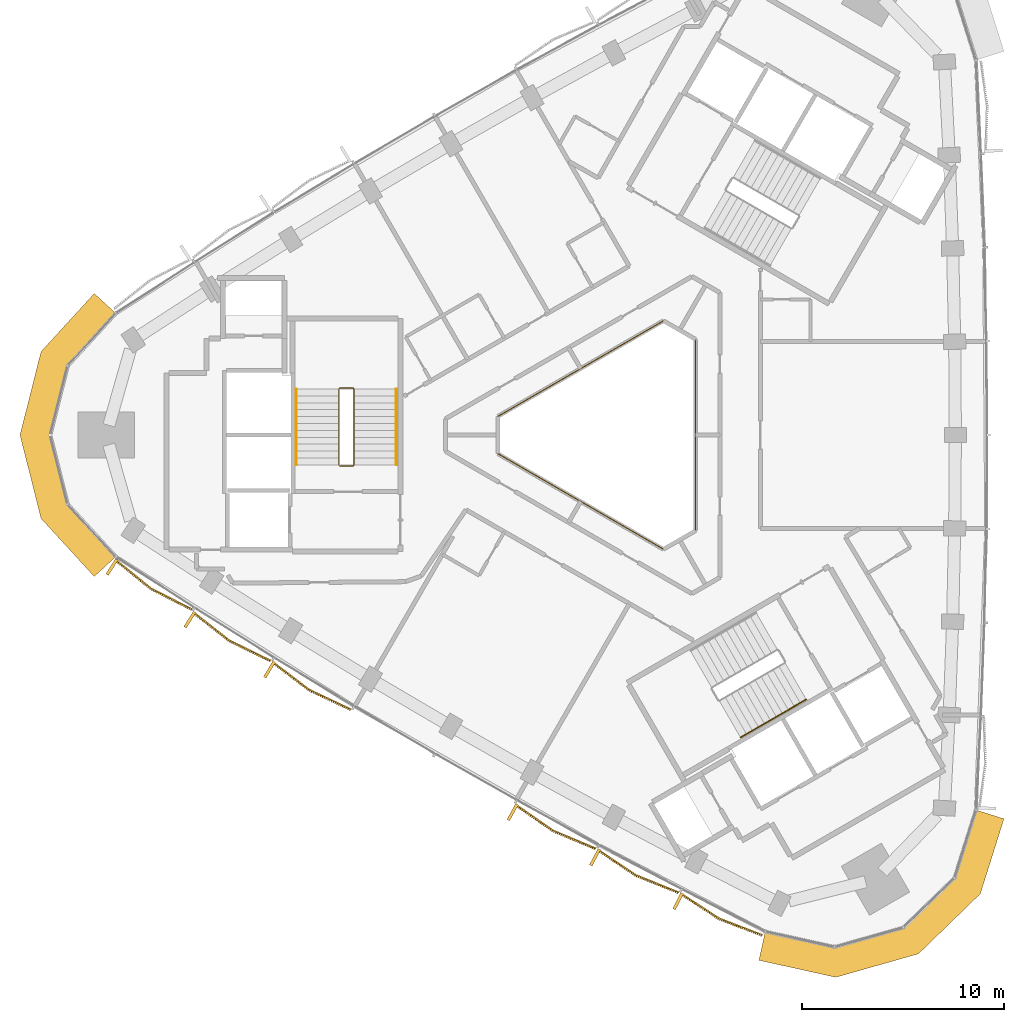
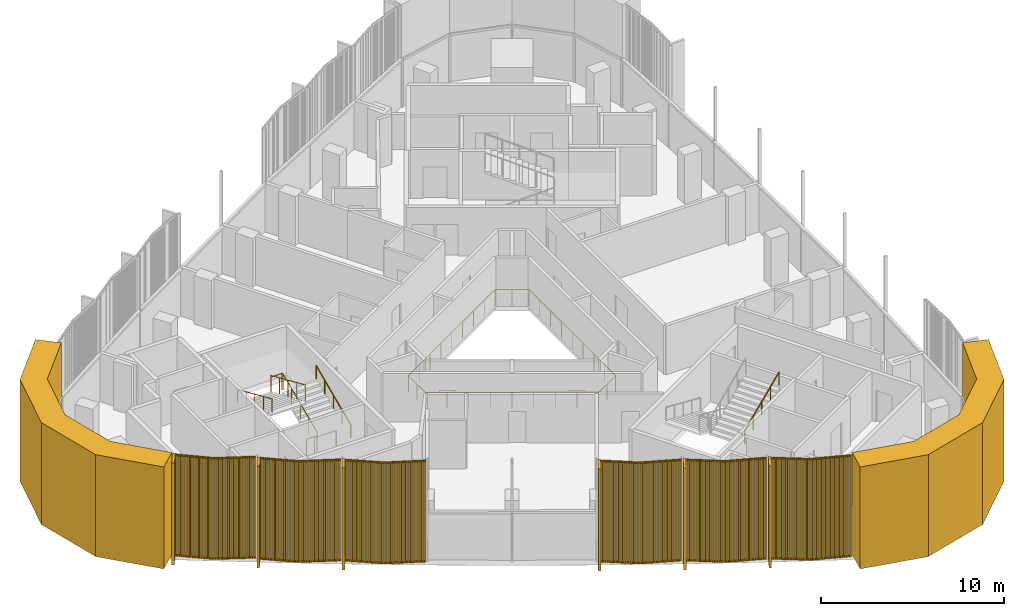
# One storey, part 12 of 14: 8 coverings, 5 railings.
"""IFC4 building model written with IfcOpenShell, lengths in metres."""

from ifc_helpers import new_model, si_unit, direction, frame, frame_2d, origin, origin_2d, place, context, subcontext, project, spatial, polyline, rectangle, circle, outline, extrude, source, transform, mapped, material, layer, layer_set, type_object, element, save


model = new_model("IFC4")

# Units and contexts
model_context = context("Model", 3, precision=1e-05, world=origin(), true_north=direction((0.0, 1.0)))
body_context = subcontext(model_context, "Body", "Model", "MODEL_VIEW")
ifc_project = project(units=[si_unit("LENGTHUNIT", "METRE"), si_unit("AREAUNIT", "SQUARE_METRE"), si_unit("VOLUMEUNIT", "CUBIC_METRE"), si_unit("PLANEANGLEUNIT", "RADIAN"), si_unit("MASSUNIT", "GRAM", prefix="KILO")], contexts=[model_context])

# Site, building, storey
site_placement = place(None, origin())
site = spatial("IfcSite", under=ifc_project, at=site_placement, CompositionType="ELEMENT")
building_placement = place(site_placement, origin())
building = spatial("IfcBuilding", under=site, at=building_placement, Name="Tamra Quay Hotel Tower", CompositionType="ELEMENT")
storey_placement = place(building_placement, frame((0.0, 0.0, 250.199951171875)))
storey = spatial("IfcBuildingStorey", under=building, at=storey_placement, Name="L63", CompositionType="ELEMENT", Elevation=250.199951171875)

# Coverings
ifc_material_1 = material(Name="Precast concrete M60 terracotta-coloured", Category="masonry")
ifc_layer = layer(ifc_material_1, 1.449951171875)
ifc_layer_set = layer_set([ifc_layer], Name="CORNER PIER PANEL")
covering_type_1 = type_object("IfcCoveringType", Name="CORNER PIER PANEL", PredefinedType="CLADDING", material=ifc_layer_set)
covering_1_placement = place(storey_placement, origin())
element("IfcCovering", 1, at=covering_1_placement, inside=storey, type_object=covering_type_1, Name="Corner pier L63.north-west", PredefinedType="CLADDING", context=body_context, shape_type="SweptSolid", body=[
    extrude(outline(polyline([(-24.941650390625, 6.034423828125), (-26.010986328125, 7.013916015625), (-28.645751953125, 4.13720703125), (-29.689697265625, 0.0), (-28.645751953125, -4.13720703125), (-26.010986328125, -7.013916015625), (-24.941650390625, -6.034423828125), (-27.329345703125, -3.427490234375), (-28.1943359375, 0.0), (-27.329345703125, 3.427490234375), (-24.941650390625, 6.034423828125)])), origin(), (0.0, 0.0, 1.0), 6.800048828125),
])
covering_2_placement = place(storey_placement, origin())
element("IfcCovering", 2, at=covering_2_placement, inside=storey, type_object=covering_type_1, Name="Corner pier L63.south-west", PredefinedType="CLADDING", context=body_context, shape_type="SweptSolid", body=[
    extrude(outline(polyline([(7.244873046875, -24.617431640625), (6.931396484375, -26.033203125), (10.739990234375, -26.876708984375), (14.844970703125, -25.712158203125), (17.90576171875, -22.739501953125), (19.07958984375, -19.019287109375), (17.69677734375, -18.5830078125), (16.633056640625, -21.9541015625), (14.09716796875, -24.4169921875), (10.6962890625, -25.3818359375), (7.244873046875, -24.617431640625)])), origin(), (0.0, 0.0, 1.0), 6.800048828125),
])

# Railings
ifc_material_2 = material(Name="Guard atrium edge 1100")
railing_type_1 = type_object("IfcRailingType", Name="Guard atrium edge 1100", PredefinedType="GUARDRAIL", material=ifc_material_2)
railing_1_placement = place(storey_placement, frame((3.800048828125, -4.73388671875, 0.0)))
element("IfcRailing", 3, at=railing_1_placement, inside=storey, type_object=railing_type_1, Name="G-A", PredefinedType="GUARDRAIL", context=body_context, shape_type="SweptSolid", body=[
    extrude(circle(Radius=0.02392578125, at=origin_2d()), frame((0.0, 0.0, 1.076171875), z_axis=(-0.865965533559, -0.500103683937, 0.0), x_axis=(0.500103683937, -0.865965533559, 0.0)), (0.0, 0.0, 1.0), 1.84765625),
    extrude(circle(Radius=0.02392578125, at=origin_2d()), frame((-1.60009765625, -0.924072265625, 1.076171875), z_axis=(-0.86604174356, 0.49997169761, 0.0), x_axis=(-0.49997169761, -0.86604174356, 0.0)), (0.0, 0.0, 1.0), 9.46826171875),
    extrude(circle(Radius=0.02392578125, at=origin_2d()), frame((-9.800048828125, 3.809814453125, 1.076171875), z_axis=(0.0, 1.0, 0.0), x_axis=(-1.0, 0.0, 0.0)), (0.0, 0.0, 1.0), 1.84814453125),
    extrude(circle(Radius=0.02392578125, at=origin_2d()), frame((-9.800048828125, 5.657958984375, 1.076171875), z_axis=(0.86604174356, 0.49997169761, 0.0), x_axis=(-0.49997169761, 0.86604174356, 0.0)), (0.0, 0.0, 1.0), 9.46826171875),
    extrude(circle(Radius=0.02392578125, at=origin_2d()), frame((-1.60009765625, 10.391845703125, 1.076171875), z_axis=(0.865965533559, -0.500103683937, 0.0), x_axis=(0.500103683937, 0.865965533559, 0.0)), (0.0, 0.0, 1.0), 1.84765625),
    extrude(circle(Radius=0.02392578125, at=origin_2d()), frame((0.0, 9.4677734375, 1.076171875), z_axis=(0.0, -1.0, 0.0), x_axis=(1.0, 0.0, 0.0)), (0.0, 0.0, 1.0), 9.4677734375),
    extrude(circle(Radius=0.02099609375, at=origin_2d()), origin(), (0.0, 0.0, 1.0), 1.052001953125),
    extrude(circle(Radius=0.02099609375, at=origin_2d()), frame((-0.800048828125, -0.4619140625, 0.0)), (0.0, 0.0, 1.0), 1.052001953125),
    extrude(circle(Radius=0.02099609375, at=origin_2d()), frame((-1.60009765625, -0.924072265625, 0.0)), (0.0, 0.0, 1.0), 1.052001953125),
    extrude(circle(Radius=0.02099609375, at=origin_2d()), frame((-2.625, -0.332275390625, 0.0)), (0.0, 0.0, 1.0), 1.052001953125),
    extrude(circle(Radius=0.02099609375, at=origin_2d()), frame((-3.650146484375, 0.25927734375, 0.0)), (0.0, 0.0, 1.0), 1.052001953125),
    extrude(circle(Radius=0.02099609375, at=origin_2d()), frame((-4.675048828125, 0.85107421875, 0.0)), (0.0, 0.0, 1.0), 1.052001953125),
    extrude(circle(Radius=0.02099609375, at=origin_2d()), frame((-5.7001953125, 1.44287109375, 0.0)), (0.0, 0.0, 1.0), 1.052001953125),
    extrude(circle(Radius=0.02099609375, at=origin_2d()), frame((-6.72509765625, 2.03466796875, 0.0)), (0.0, 0.0, 1.0), 1.052001953125),
    extrude(circle(Radius=0.02099609375, at=origin_2d()), frame((-7.75, 2.62646484375, 0.0)), (0.0, 0.0, 1.0), 1.052001953125),
    extrude(circle(Radius=0.02099609375, at=origin_2d()), frame((-8.775146484375, 3.218017578125, 0.0)), (0.0, 0.0, 1.0), 1.052001953125),
    extrude(circle(Radius=0.02099609375, at=origin_2d()), frame((-9.800048828125, 3.809814453125, 0.0)), (0.0, 0.0, 1.0), 1.052001953125),
    extrude(circle(Radius=0.02099609375, at=origin_2d()), frame((-9.800048828125, 4.73388671875, 0.0)), (0.0, 0.0, 1.0), 1.052001953125),
    extrude(circle(Radius=0.02099609375, at=origin_2d()), frame((-9.800048828125, 5.657958984375, 0.0)), (0.0, 0.0, 1.0), 1.052001953125),
    extrude(circle(Radius=0.02099609375, at=origin_2d()), frame((-8.775146484375, 6.249755859375, 0.0)), (0.0, 0.0, 1.0), 1.052001953125),
    extrude(circle(Radius=0.02099609375, at=origin_2d()), frame((-7.75, 6.84130859375, 0.0)), (0.0, 0.0, 1.0), 1.052001953125),
    extrude(circle(Radius=0.02099609375, at=origin_2d()), frame((-6.72509765625, 7.43310546875, 0.0)), (0.0, 0.0, 1.0), 1.052001953125),
    extrude(circle(Radius=0.02099609375, at=origin_2d()), frame((-5.7001953125, 8.02490234375, 0.0)), (0.0, 0.0, 1.0), 1.052001953125),
    extrude(circle(Radius=0.02099609375, at=origin_2d()), frame((-4.675048828125, 8.61669921875, 0.0)), (0.0, 0.0, 1.0), 1.052001953125),
    extrude(circle(Radius=0.02099609375, at=origin_2d()), frame((-3.650146484375, 9.20849609375, 0.0)), (0.0, 0.0, 1.0), 1.052001953125),
    extrude(circle(Radius=0.02099609375, at=origin_2d()), frame((-2.625, 9.800048828125, 0.0)), (0.0, 0.0, 1.0), 1.052001953125),
    extrude(circle(Radius=0.02099609375, at=origin_2d()), frame((-1.60009765625, 10.391845703125, 0.0)), (0.0, 0.0, 1.0), 1.052001953125),
    extrude(circle(Radius=0.02099609375, at=origin_2d()), frame((-0.800048828125, 9.9296875, 0.0)), (0.0, 0.0, 1.0), 1.052001953125),
    extrude(circle(Radius=0.02099609375, at=origin_2d()), frame((0.0, 9.4677734375, 0.0)), (0.0, 0.0, 1.0), 1.052001953125),
    extrude(circle(Radius=0.02099609375, at=origin_2d()), frame((0.0, 8.2841796875, 0.0)), (0.0, 0.0, 1.0), 1.052001953125),
    extrude(circle(Radius=0.02099609375, at=origin_2d()), frame((0.0, 7.100830078125, 0.0)), (0.0, 0.0, 1.0), 1.052001953125),
    extrude(circle(Radius=0.02099609375, at=origin_2d()), frame((0.0, 5.91748046875, 0.0)), (0.0, 0.0, 1.0), 1.052001953125),
    extrude(circle(Radius=0.02099609375, at=origin_2d()), frame((0.0, 4.73388671875, 0.0)), (0.0, 0.0, 1.0), 1.052001953125),
    extrude(circle(Radius=0.02099609375, at=origin_2d()), frame((0.0, 3.55029296875, 0.0)), (0.0, 0.0, 1.0), 1.052001953125),
    extrude(circle(Radius=0.02099609375, at=origin_2d()), frame((0.0, 2.366943359375, 0.0)), (0.0, 0.0, 1.0), 1.052001953125),
    extrude(circle(Radius=0.02099609375, at=origin_2d()), frame((0.0, 1.18359375, 0.0)), (0.0, 0.0, 1.0), 1.052001953125),
])
ifc_material_3 = material(Name="Stair guard 1100")
railing_type_2 = type_object("IfcRailingType", Name="Stair guard 1100", PredefinedType="GUARDRAIL", material=ifc_material_3)
railing_2_placement = place(storey_placement, frame((-13.84130859375, -1.530029296875, 0.0)))
element("IfcRailing", 4, at=railing_2_placement, inside=storey, type_object=railing_type_2, Name="GR", PredefinedType="GUARDRAIL", context=body_context, shape_type="SweptSolid", body=[
    extrude(circle(Radius=0.02392578125, at=origin_2d()), frame((0.0, 0.0, 1.076171875), z_axis=(1.0, 0.0, 0.0), x_axis=(0.0, 1.0, 0.0)), (0.0, 0.0, 1.0), 0.658935546875),
    extrude(circle(Radius=0.02392578125, at=origin_2d()), frame((0.658935546875, 0.0, 1.076171875), z_axis=(0.301511344578, 0.301511344578, 0.904534033733), x_axis=(-0.707106781187, 0.707106781187, 0.0)), (0.0, 0.0, 1.0), 0.166015625),
    extrude(circle(Radius=0.02392578125, at=origin_2d()), frame((0.708984375, 0.050048828125, 1.22607421875), z_axis=(0.0, 0.915795495799, 0.401644880304), x_axis=(-1.0, 0.0, 0.0)), (0.0, 0.0, 1.0), 4.10791015625),
    extrude(circle(Radius=0.02392578125, at=origin_2d()), frame((0.708984375, 3.81201171875, 2.8759765625), z_axis=(-0.708833529934, 0.705375805398, 0.0), x_axis=(-0.705375805398, -0.708833529934, 0.0)), (0.0, 0.0, 1.0), 0.070556640625),
    extrude(circle(Radius=0.02392578125, at=origin_2d()), frame((0.658935546875, 3.86181640625, 2.8759765625), z_axis=(-1.0, 0.0, 0.0), x_axis=(0.0, -1.0, 0.0)), (0.0, 0.0, 1.0), 0.658935546875),
    extrude(circle(Radius=0.02392578125, at=origin_2d()), frame((0.0, 3.86181640625, 2.8759765625), z_axis=(-0.302046947789, -0.300573548044, 0.904667443621), x_axis=(0.705375805398, -0.708833529934, 0.0)), (0.0, 0.0, 1.0), 0.165771484375),
    extrude(circle(Radius=0.02392578125, at=origin_2d()), frame((-0.050048828125, 3.81201171875, 3.02587890625), z_axis=(0.0, -0.915773634228, 0.401694723457), x_axis=(1.0, 0.0, 0.0)), (0.0, 0.0, 1.0), 4.10791015625),
    extrude(circle(Radius=0.02099609375, at=origin_2d()), origin(), (0.0, 0.0, 1.0), 1.052001953125),
    extrude(circle(Radius=0.02099609375, at=origin_2d()), frame((0.658935546875, 0.0, 0.0)), (0.0, 0.0, 1.0), 1.052001953125),
    extrude(circle(Radius=0.02099609375, at=origin_2d()), frame((0.708984375, 0.050048828125, 0.150146484375)), (0.0, 0.0, 1.0), 1.052001953125),
    extrude(circle(Radius=0.02099609375, at=origin_2d()), frame((0.708984375, 0.990478515625, 0.5625)), (0.0, 0.0, 1.0), 1.052001953125),
    extrude(circle(Radius=0.02099609375, at=origin_2d()), frame((0.708984375, 1.93115234375, 0.97509765625)), (0.0, 0.0, 1.0), 1.052001953125),
    extrude(circle(Radius=0.02099609375, at=origin_2d()), frame((0.708984375, 2.87158203125, 1.3876953125)), (0.0, 0.0, 1.0), 1.052001953125),
    extrude(circle(Radius=0.02099609375, at=origin_2d()), frame((0.708984375, 3.81201171875, 1.800048828125)), (0.0, 0.0, 1.0), 1.052001953125),
    extrude(circle(Radius=0.02099609375, at=origin_2d()), frame((0.658935546875, 3.86181640625, 1.800048828125)), (0.0, 0.0, 1.0), 1.052001953125),
    extrude(circle(Radius=0.02099609375, at=origin_2d()), frame((0.0, 3.86181640625, 1.800048828125)), (0.0, 0.0, 1.0), 1.052001953125),
    extrude(circle(Radius=0.02099609375, at=origin_2d()), frame((-0.050048828125, 3.81201171875, 1.949951171875)), (0.0, 0.0, 1.0), 1.052001953125),
    extrude(circle(Radius=0.02099609375, at=origin_2d()), frame((-0.050048828125, 2.87158203125, 2.362548828125)), (0.0, 0.0, 1.0), 1.052001953125),
    extrude(circle(Radius=0.02099609375, at=origin_2d()), frame((-0.050048828125, 1.93115234375, 2.77490234375)), (0.0, 0.0, 1.0), 1.052001953125),
    extrude(circle(Radius=0.02099609375, at=origin_2d()), frame((-0.050048828125, 0.990478515625, 3.1875)), (0.0, 0.0, 1.0), 1.052001953125),
    extrude(circle(Radius=0.02099609375, at=origin_2d()), frame((-0.050048828125, 0.050048828125, 3.60009765625)), (0.0, 0.0, 1.0), 1.052001953125),
])
ifc_material_4 = material(Name="Stair handrail 900")
railing_type_3 = type_object("IfcRailingType", Name="Stair handrail 900", PredefinedType="HANDRAIL", material=ifc_material_4)
railing_3_placement = place(storey_placement, frame((-11.0322265625, -1.47998046875, 0.150146484375)))
element("IfcRailing", 5, at=railing_3_placement, inside=storey, type_object=railing_type_3, Name="HR", PredefinedType="HANDRAIL", context=body_context, shape_type="SweptSolid", body=[
    extrude(circle(Radius=0.02392578125, at=origin_2d()), frame((0.0, 0.0, 0.8759765625), z_axis=(0.0, 0.915795495799, 0.401644880304), x_axis=(-1.0, 0.0, 0.0)), (0.0, 0.0, 1.0), 4.10791015625),
    extrude(circle(Radius=0.02099609375, at=origin_2d()), origin(), (0.0, 0.0, 1.0), 0.851806640625),
    extrude(circle(Radius=0.02099609375, at=origin_2d()), frame((0.0, 0.9404296875, 0.41259765625)), (0.0, 0.0, 1.0), 0.851806640625),
    extrude(circle(Radius=0.02099609375, at=origin_2d()), frame((0.0, 1.880859375, 0.824951171875)), (0.0, 0.0, 1.0), 0.851806640625),
    extrude(circle(Radius=0.02099609375, at=origin_2d()), frame((0.0, 2.821533203125, 1.2373046875)), (0.0, 0.0, 1.0), 0.851806640625),
    extrude(circle(Radius=0.02099609375, at=origin_2d()), frame((0.0, 3.761962890625, 1.64990234375)), (0.0, 0.0, 1.0), 0.851806640625),
])
railing_4_placement = place(storey_placement, frame((-15.9912109375, 2.281982421875, 1.949951171875)))
element("IfcRailing", 6, at=railing_4_placement, inside=storey, type_object=railing_type_3, Name="HR", PredefinedType="HANDRAIL", context=body_context, shape_type="SweptSolid", body=[
    extrude(circle(Radius=0.02392578125, at=origin_2d()), frame((0.0, 0.0, 0.8759765625), z_axis=(0.0, -0.915773634228, 0.401694723457), x_axis=(1.0, 0.0, 0.0)), (0.0, 0.0, 1.0), 4.10791015625),
    extrude(circle(Radius=0.02099609375, at=origin_2d()), origin(), (0.0, 0.0, 1.0), 0.851806640625),
    extrude(circle(Radius=0.02099609375, at=origin_2d()), frame((0.0, -0.9404296875, 0.41259765625)), (0.0, 0.0, 1.0), 0.851806640625),
    extrude(circle(Radius=0.02099609375, at=origin_2d()), frame((0.0, -1.880859375, 0.8251953125)), (0.0, 0.0, 1.0), 0.851806640625),
    extrude(circle(Radius=0.02099609375, at=origin_2d()), frame((0.0, -2.821533203125, 1.237548828125)), (0.0, 0.0, 1.0), 0.851806640625),
    extrude(circle(Radius=0.02099609375, at=origin_2d()), frame((0.0, -3.761962890625, 1.650146484375)), (0.0, 0.0, 1.0), 0.851806640625),
])
railing_5_placement = place(storey_placement, frame((6.01953125, -14.98974609375, 1.949951171875)))
element("IfcRailing", 7, at=railing_5_placement, inside=storey, type_object=railing_type_3, Name="HR", PredefinedType="HANDRAIL", context=body_context, shape_type="SweptSolid", body=[
    extrude(circle(Radius=0.02392578125, at=origin_2d()), frame((0.0, 0.0, 0.8759765625), z_axis=(0.793081112945, 0.457875966286, 0.40171127416), x_axis=(-0.499992114976, 0.866029956157, 0.0)), (0.0, 0.0, 1.0), 4.10791015625),
    extrude(circle(Radius=0.02099609375, at=origin_2d()), origin(), (0.0, 0.0, 1.0), 0.851806640625),
    extrude(circle(Radius=0.02099609375, at=origin_2d()), frame((0.814453125, 0.47021484375, 0.41259765625)), (0.0, 0.0, 1.0), 0.851806640625),
    extrude(circle(Radius=0.02099609375, at=origin_2d()), frame((1.62890625, 0.9404296875, 0.8251953125)), (0.0, 0.0, 1.0), 0.851806640625),
    extrude(circle(Radius=0.02099609375, at=origin_2d()), frame((2.443359375, 1.41064453125, 1.237548828125)), (0.0, 0.0, 1.0), 0.851806640625),
    extrude(circle(Radius=0.02099609375, at=origin_2d()), frame((3.2578125, 1.880859375, 1.650146484375)), (0.0, 0.0, 1.0), 0.851806640625),
])

# Coverings
ifc_material_5 = material(Name="Terracotta baguette extruded", Category="masonry")
covering_type_2 = type_object("IfcCoveringType", Name="BAGUETTE SCREEN SW-V H6800", PredefinedType="USERDEFINED", material=ifc_material_5)
shared_shape = source(origin(), body_context, "Body", "SweptSolid", [
    extrude(rectangle(XDim=2.295166015625, YDim=0.06005859375, at=frame_2d((1.1474609375, 0.030029296875))), frame((-2.288818359375, -0.0576171875, -0.1201171875), z_axis=(0.0, 0.0, 1.0), x_axis=(0.994521895368, -0.104528463268, 0.0)), (0.0, 0.0, 1.0), 0.1201171875),
    extrude(rectangle(XDim=2.295166015625, YDim=0.06005859375, at=frame_2d((1.1474609375, 0.030029296875))), frame((-2.288818359375, -0.0576171875, -6.800048828125), z_axis=(0.0, 0.0, 1.0), x_axis=(0.994521895368, -0.104528463268, 0.0)), (0.0, 0.0, 1.0), 0.1201171875),
    extrude(rectangle(XDim=0.070068359375, YDim=0.10009765625, at=frame_2d((0.03515625, 0.050048828125))), frame((-2.267822265625, -0.13330078125, -6.739990234375)), (0.0, 0.0, 1.0), 6.679931640625),
    extrude(rectangle(XDim=0.070068359375, YDim=0.10009765625, at=frame_2d((0.03515625, 0.050048828125))), frame((-2.168701171875, -0.1435546875, -6.739990234375)), (0.0, 0.0, 1.0), 6.679931640625),
    extrude(rectangle(XDim=0.070068359375, YDim=0.10009765625, at=frame_2d((0.03515625, 0.050048828125))), frame((-2.0693359375, -0.154052734375, -6.739990234375)), (0.0, 0.0, 1.0), 6.679931640625),
    extrude(rectangle(XDim=0.070068359375, YDim=0.10009765625, at=frame_2d((0.03515625, 0.050048828125))), frame((-1.97021484375, -0.16455078125, -6.739990234375)), (0.0, 0.0, 1.0), 6.679931640625),
    extrude(rectangle(XDim=0.070068359375, YDim=0.10009765625, at=frame_2d((0.03515625, 0.050048828125))), frame((-1.870849609375, -0.175048828125, -6.739990234375)), (0.0, 0.0, 1.0), 6.679931640625),
    extrude(rectangle(XDim=0.070068359375, YDim=0.10009765625, at=frame_2d((0.03515625, 0.050048828125))), frame((-1.771728515625, -0.185302734375, -6.739990234375)), (0.0, 0.0, 1.0), 6.679931640625),
    extrude(rectangle(XDim=0.070068359375, YDim=0.10009765625, at=frame_2d((0.03515625, 0.050048828125))), frame((-1.67236328125, -0.19580078125, -6.739990234375)), (0.0, 0.0, 1.0), 6.679931640625),
    extrude(rectangle(XDim=0.070068359375, YDim=0.10009765625, at=frame_2d((0.03515625, 0.050048828125))), frame((-1.5732421875, -0.206298828125, -6.739990234375)), (0.0, 0.0, 1.0), 6.679931640625),
    extrude(rectangle(XDim=0.070068359375, YDim=0.10009765625, at=frame_2d((0.03515625, 0.050048828125))), frame((-1.473876953125, -0.216552734375, -6.739990234375)), (0.0, 0.0, 1.0), 6.679931640625),
    extrude(rectangle(XDim=0.070068359375, YDim=0.10009765625, at=frame_2d((0.03515625, 0.050048828125))), frame((-1.374755859375, -0.22705078125, -6.739990234375)), (0.0, 0.0, 1.0), 6.679931640625),
    extrude(rectangle(XDim=0.070068359375, YDim=0.10009765625, at=frame_2d((0.03515625, 0.050048828125))), frame((-1.275390625, -0.237548828125, -6.739990234375)), (0.0, 0.0, 1.0), 6.679931640625),
    extrude(rectangle(XDim=0.070068359375, YDim=0.10009765625, at=frame_2d((0.03515625, 0.050048828125))), frame((-1.17626953125, -0.248046875, -6.739990234375)), (0.0, 0.0, 1.0), 6.679931640625),
    extrude(rectangle(XDim=0.070068359375, YDim=0.10009765625, at=frame_2d((0.03515625, 0.050048828125))), frame((-1.076904296875, -0.25830078125, -6.739990234375)), (0.0, 0.0, 1.0), 6.679931640625),
    extrude(rectangle(XDim=0.070068359375, YDim=0.10009765625, at=frame_2d((0.03515625, 0.050048828125))), frame((-0.977783203125, -0.268798828125, -6.739990234375)), (0.0, 0.0, 1.0), 6.679931640625),
    extrude(rectangle(XDim=0.070068359375, YDim=0.10009765625, at=frame_2d((0.03515625, 0.050048828125))), frame((-0.87841796875, -0.279296875, -6.739990234375)), (0.0, 0.0, 1.0), 6.679931640625),
    extrude(rectangle(XDim=0.070068359375, YDim=0.10009765625, at=frame_2d((0.03515625, 0.050048828125))), frame((-0.779296875, -0.28955078125, -6.739990234375)), (0.0, 0.0, 1.0), 6.679931640625),
    extrude(rectangle(XDim=0.070068359375, YDim=0.10009765625, at=frame_2d((0.03515625, 0.050048828125))), frame((-0.679931640625, -0.300048828125, -6.739990234375)), (0.0, 0.0, 1.0), 6.679931640625),
    extrude(rectangle(XDim=0.070068359375, YDim=0.10009765625, at=frame_2d((0.03515625, 0.050048828125))), frame((-0.580810546875, -0.310546875, -6.739990234375)), (0.0, 0.0, 1.0), 6.679931640625),
    extrude(rectangle(XDim=0.070068359375, YDim=0.10009765625, at=frame_2d((0.03515625, 0.050048828125))), frame((-0.481689453125, -0.321044921875, -6.739990234375)), (0.0, 0.0, 1.0), 6.679931640625),
    extrude(rectangle(XDim=0.070068359375, YDim=0.10009765625, at=frame_2d((0.03515625, 0.050048828125))), frame((-0.38232421875, -0.331298828125, -6.739990234375)), (0.0, 0.0, 1.0), 6.679931640625),
    extrude(rectangle(XDim=0.070068359375, YDim=0.10009765625, at=frame_2d((0.03515625, 0.050048828125))), frame((-0.283203125, -0.341796875, -6.739990234375)), (0.0, 0.0, 1.0), 6.679931640625),
    extrude(rectangle(XDim=0.070068359375, YDim=0.10009765625, at=frame_2d((0.03515625, 0.050048828125))), frame((-0.183837890625, -0.352294921875, -6.739990234375)), (0.0, 0.0, 1.0), 6.679931640625),
    extrude(rectangle(XDim=0.070068359375, YDim=0.10009765625, at=frame_2d((0.03515625, 0.050048828125))), frame((-0.084716796875, -0.36279296875, -6.739990234375)), (0.0, 0.0, 1.0), 6.679931640625),
    extrude(rectangle(XDim=2.295166015625, YDim=0.06005859375, at=frame_2d((1.1474609375, 0.030029296875))), frame((0.00634765625, -0.297607421875, -0.1201171875), z_axis=(0.0, 0.0, 1.0), x_axis=(0.994521895368, 0.104528463268, 0.0)), (0.0, 0.0, 1.0), 0.1201171875),
    extrude(rectangle(XDim=2.295166015625, YDim=0.06005859375, at=frame_2d((1.1474609375, 0.030029296875))), frame((0.00634765625, -0.297607421875, -6.800048828125), z_axis=(0.0, 0.0, 1.0), x_axis=(0.994521895368, 0.104528463268, 0.0)), (0.0, 0.0, 1.0), 0.1201171875),
    extrude(rectangle(XDim=0.070068359375, YDim=0.10009765625, at=frame_2d((0.03515625, 0.050048828125))), frame((0.0146484375, -0.36279296875, -6.739990234375)), (0.0, 0.0, 1.0), 6.679931640625),
    extrude(rectangle(XDim=0.070068359375, YDim=0.10009765625, at=frame_2d((0.03515625, 0.050048828125))), frame((0.11376953125, -0.352294921875, -6.739990234375)), (0.0, 0.0, 1.0), 6.679931640625),
    extrude(rectangle(XDim=0.070068359375, YDim=0.10009765625, at=frame_2d((0.03515625, 0.050048828125))), frame((0.213134765625, -0.341796875, -6.739990234375)), (0.0, 0.0, 1.0), 6.679931640625),
    extrude(rectangle(XDim=0.070068359375, YDim=0.10009765625, at=frame_2d((0.03515625, 0.050048828125))), frame((0.312255859375, -0.331298828125, -6.739990234375)), (0.0, 0.0, 1.0), 6.679931640625),
    extrude(rectangle(XDim=0.070068359375, YDim=0.10009765625, at=frame_2d((0.03515625, 0.050048828125))), frame((0.41162109375, -0.321044921875, -6.739990234375)), (0.0, 0.0, 1.0), 6.679931640625),
    extrude(rectangle(XDim=0.070068359375, YDim=0.10009765625, at=frame_2d((0.03515625, 0.050048828125))), frame((0.5107421875, -0.310546875, -6.739990234375)), (0.0, 0.0, 1.0), 6.679931640625),
    extrude(rectangle(XDim=0.070068359375, YDim=0.10009765625, at=frame_2d((0.03515625, 0.050048828125))), frame((0.610107421875, -0.300048828125, -6.739990234375)), (0.0, 0.0, 1.0), 6.679931640625),
    extrude(rectangle(XDim=0.070068359375, YDim=0.10009765625, at=frame_2d((0.03515625, 0.050048828125))), frame((0.709228515625, -0.28955078125, -6.739990234375)), (0.0, 0.0, 1.0), 6.679931640625),
    extrude(rectangle(XDim=0.070068359375, YDim=0.10009765625, at=frame_2d((0.03515625, 0.050048828125))), frame((0.80859375, -0.279296875, -6.739990234375)), (0.0, 0.0, 1.0), 6.679931640625),
    extrude(rectangle(XDim=0.070068359375, YDim=0.10009765625, at=frame_2d((0.03515625, 0.050048828125))), frame((0.90771484375, -0.268798828125, -6.739990234375)), (0.0, 0.0, 1.0), 6.679931640625),
    extrude(rectangle(XDim=0.070068359375, YDim=0.10009765625, at=frame_2d((0.03515625, 0.050048828125))), frame((1.007080078125, -0.25830078125, -6.739990234375)), (0.0, 0.0, 1.0), 6.679931640625),
    extrude(rectangle(XDim=0.070068359375, YDim=0.10009765625, at=frame_2d((0.03515625, 0.050048828125))), frame((1.106201171875, -0.248046875, -6.739990234375)), (0.0, 0.0, 1.0), 6.679931640625),
    extrude(rectangle(XDim=0.070068359375, YDim=0.10009765625, at=frame_2d((0.03515625, 0.050048828125))), frame((1.20556640625, -0.237548828125, -6.739990234375)), (0.0, 0.0, 1.0), 6.679931640625),
    extrude(rectangle(XDim=0.070068359375, YDim=0.10009765625, at=frame_2d((0.03515625, 0.050048828125))), frame((1.3046875, -0.22705078125, -6.739990234375)), (0.0, 0.0, 1.0), 6.679931640625),
    extrude(rectangle(XDim=0.070068359375, YDim=0.10009765625, at=frame_2d((0.03515625, 0.050048828125))), frame((1.404052734375, -0.216552734375, -6.739990234375)), (0.0, 0.0, 1.0), 6.679931640625),
    extrude(rectangle(XDim=0.070068359375, YDim=0.10009765625, at=frame_2d((0.03515625, 0.050048828125))), frame((1.503173828125, -0.206298828125, -6.739990234375)), (0.0, 0.0, 1.0), 6.679931640625),
    extrude(rectangle(XDim=0.070068359375, YDim=0.10009765625, at=frame_2d((0.03515625, 0.050048828125))), frame((1.6025390625, -0.19580078125, -6.739990234375)), (0.0, 0.0, 1.0), 6.679931640625),
    extrude(rectangle(XDim=0.070068359375, YDim=0.10009765625, at=frame_2d((0.03515625, 0.050048828125))), frame((1.70166015625, -0.185302734375, -6.739990234375)), (0.0, 0.0, 1.0), 6.679931640625),
    extrude(rectangle(XDim=0.070068359375, YDim=0.10009765625, at=frame_2d((0.03515625, 0.050048828125))), frame((1.801025390625, -0.175048828125, -6.739990234375)), (0.0, 0.0, 1.0), 6.679931640625),
    extrude(rectangle(XDim=0.070068359375, YDim=0.10009765625, at=frame_2d((0.03515625, 0.050048828125))), frame((1.900146484375, -0.16455078125, -6.739990234375)), (0.0, 0.0, 1.0), 6.679931640625),
    extrude(rectangle(XDim=0.070068359375, YDim=0.10009765625, at=frame_2d((0.03515625, 0.050048828125))), frame((1.99951171875, -0.154052734375, -6.739990234375)), (0.0, 0.0, 1.0), 6.679931640625),
    extrude(rectangle(XDim=0.070068359375, YDim=0.10009765625, at=frame_2d((0.03515625, 0.050048828125))), frame((2.0986328125, -0.1435546875, -6.739990234375)), (0.0, 0.0, 1.0), 6.679931640625),
    extrude(rectangle(XDim=0.070068359375, YDim=0.10009765625, at=frame_2d((0.03515625, 0.050048828125))), frame((2.197998046875, -0.13330078125, -6.739990234375)), (0.0, 0.0, 1.0), 6.679931640625),
    extrude(rectangle(XDim=0.14990234375, YDim=0.902099609375, at=frame_2d((0.074951171875, 0.451171875))), frame((-2.282470703125, -0.89990234375, -6.800048828125)), (0.0, 0.0, 1.0), 6.800048828125),
])
for number, where, z_axis, x_axis, name in (
    (8, (-23.036376953125, -7.3681640625, 6.800048828125), (0.0, 0.0, 1.0), (0.839178810526, -0.543855609481, 0.0), "Baguette screen L63.SW.f00"),
    (9, (-19.161376953125, -9.940185546875, 6.800048828125), (0.0, 0.0, 1.0), (0.847068237769, -0.531484148929, 0.0), "Baguette screen L63.SW.f01"),
    (10, (-15.2041015625, -12.3828125, 6.800048828125), (0.0, 0.0, 1.0), (0.854783158184, -0.518985310471, 0.0), "Baguette screen L63.SW.f02"),
    (11, (-3.121826171875, -19.3583984375, 6.800048828125), (0.0, 0.0, 1.0), (0.876846042151, -0.480771274479, 0.0), "Baguette screen L63.SW.f05"),
    (12, (0.972412109375, -21.564208984375, 6.800048828125), (0.0, 0.0, 1.0), (0.883812893566, -0.467840538183, 0.0), "Baguette screen L63.SW.f06"),
    (13, (5.0986328125, -23.7099609375, 6.800048828125), (0.0, 0.0, 1.0), (0.890582179064, -0.454822363492, 0.0), "Baguette screen L63.SW.f07"),
):
    element("IfcCovering", number, at=place(storey_placement, frame(where, z_axis=z_axis, x_axis=x_axis)), inside=storey, type_object=covering_type_2, Name=name, ObjectType="BAGUETTE SCREEN", PredefinedType="USERDEFINED", context=body_context, shape_type="MappedRepresentation", body=[
        mapped(shared_shape, transform((0.0, 0.0, 0.0), scale=1.0)),
    ])

save(model, "model.ifc")
